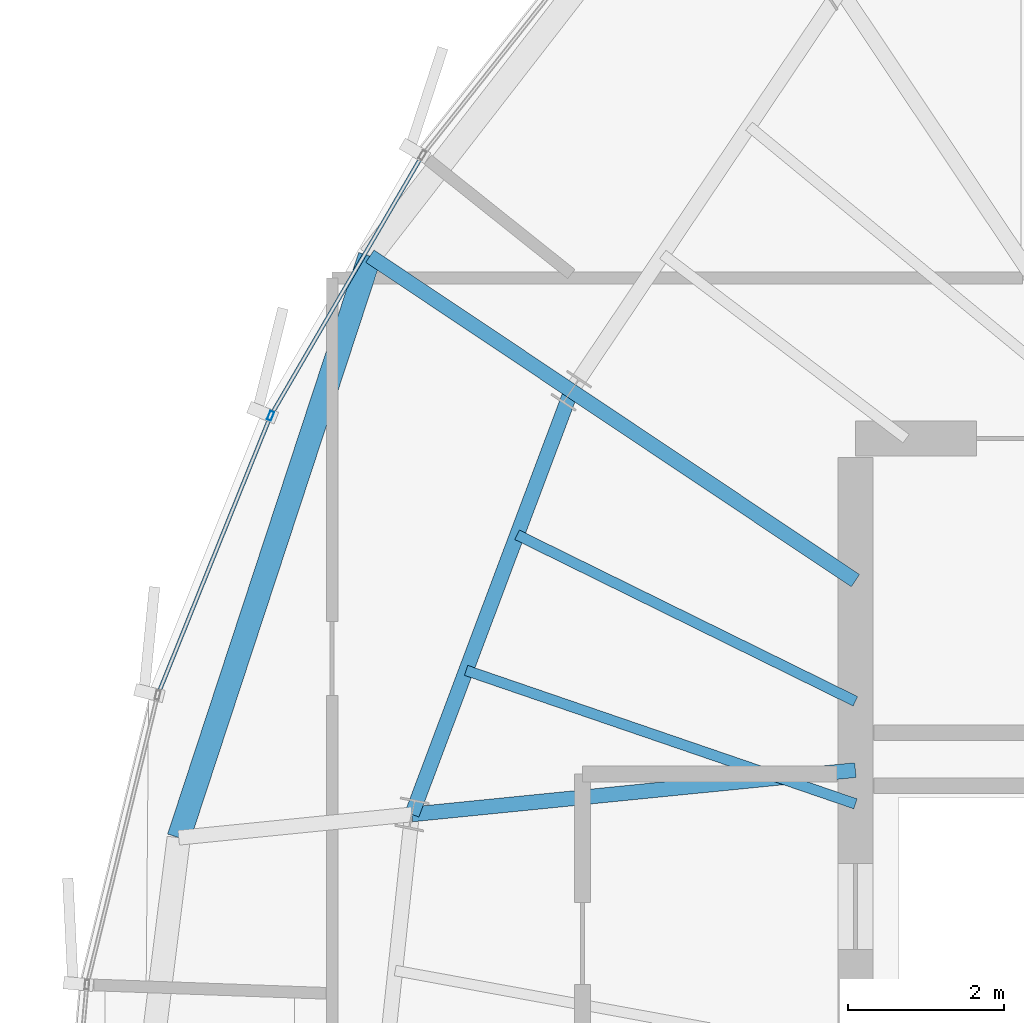
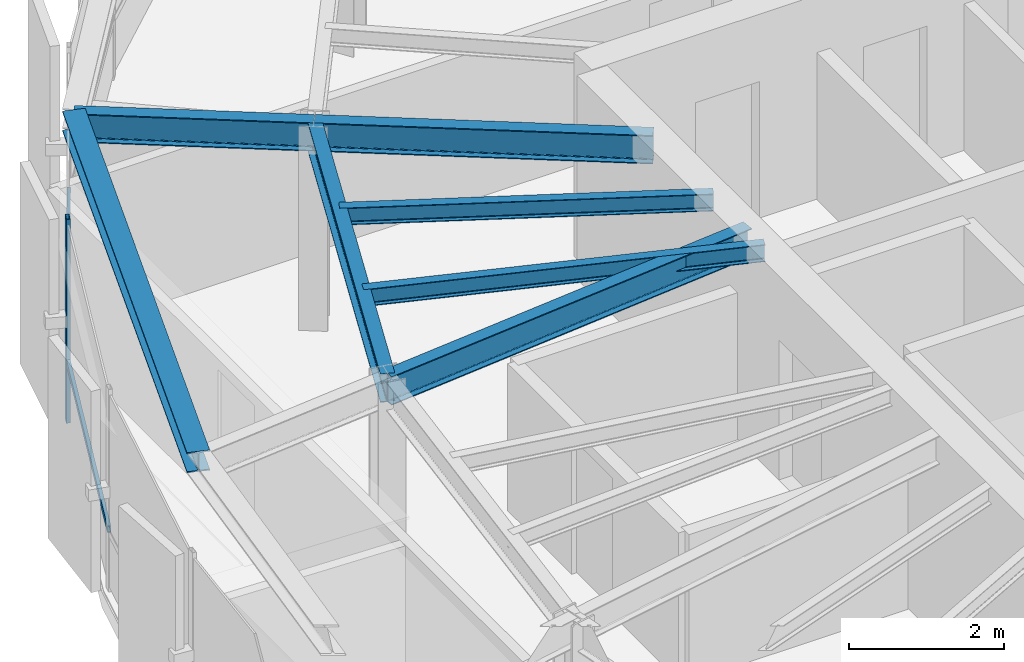
# One storey, part 12 of 31: 7 beams, 3 members, 1 element without a shape of its own.
"""IFC4 building model written with IfcOpenShell, lengths in metres."""

from ifc_helpers import new_model, si_unit, direction, frame, origin, origin_2d, place, context, subcontext, project, spatial, hollow_rectangle, i_section, extrude, source, transform, mapped, material, layer, layer_set, material_profile, profile_set, type_object, element, aggregate, save


model = new_model("IFC4")

# Units and contexts
model_context = context("Model", 3, precision=1e-05, world=origin(), true_north=direction((0.0, 1.0)))
body_context = subcontext(model_context, "Body", "Model", "MODEL_VIEW")
ifc_project = project(units=[si_unit("LENGTHUNIT", "METRE"), si_unit("AREAUNIT", "SQUARE_METRE"), si_unit("VOLUMEUNIT", "CUBIC_METRE"), si_unit("PLANEANGLEUNIT", "RADIAN"), si_unit("MASSUNIT", "GRAM", prefix="KILO"), si_unit("THERMODYNAMICTEMPERATUREUNIT", "KELVIN")], contexts=[model_context])

# Site, building, storey
site_placement = place(None, origin())
site = spatial("IfcSite", under=ifc_project, at=site_placement, CompositionType="ELEMENT")
building_placement = place(site_placement, origin())
building = spatial("IfcBuilding", under=site, at=building_placement, Name="Kethvar Cultural Tower", CompositionType="ELEMENT")
storey_placement = place(building_placement, frame((0.0, 0.0, 290.5)))
storey = spatial("IfcBuildingStorey", under=building, at=storey_placement, Name="L77", CompositionType="ELEMENT", Elevation=290.5)

# Beams
ifc_material_1 = material(Name="Steel S355J2", Category="steel")
ifc_material_profile_1 = material_profile(ifc_material_1, i_section(OverallWidth=0.18994140625, OverallDepth=0.449951171875, WebThickness=0.009521484375, FlangeThickness=0.0146484375, FilletRadius=0.02099609375, at=origin_2d()), Name="Steel S355J2 — IPE450")
ifc_profile_set_1 = profile_set([ifc_material_profile_1], Name="Steel S355J2 — IPE450")
beam_type_1 = type_object("IfcBeamType", Name="BM-IPE450", PredefinedType="BEAM", material=ifc_profile_set_1)
shared_shape_1 = source(origin(), body_context, "Body", "SweptSolid", [
    extrude(i_section(OverallWidth=0.18994140625, OverallDepth=0.449951171875, WebThickness=0.009521484375, FlangeThickness=0.0146484375, FilletRadius=0.02099609375, at=origin_2d()), origin(), (0.0, 0.0, 1.0), 4.3828125),
])
beam_1_placement = place(storey_placement, frame((38.0, 33.679931640625, 2.98291015625), z_axis=(-0.831449909861, 0.555599718676, 0.0), x_axis=(-0.555599718676, -0.831449909861, 0.0)))
element("IfcBeam", 1, at=beam_1_placement, inside=storey, type_object=beam_type_1, Name="L77 Primary Radial Beam RB-07", PredefinedType="BEAM", context=body_context, shape_type="MappedRepresentation", body=[
    mapped(shared_shape_1, transform((0.0, 0.0, 0.0), scale=1.0)),
])
shared_shape_2 = source(origin(), body_context, "Body", "SweptSolid", [
    extrude(i_section(OverallWidth=0.18994140625, OverallDepth=0.449951171875, WebThickness=0.009521484375, FlangeThickness=0.0146484375, FilletRadius=0.02099609375, at=origin_2d()), origin(), (0.0, 0.0, 1.0), 5.7158203125),
])
beam_2_placement = place(storey_placement, frame((38.0, 31.25, 2.98291015625), z_axis=(-0.995048179628, -0.099393763478, 0.0), x_axis=(0.099393763478, -0.995048179628, 0.0)))
element("IfcBeam", 2, at=beam_2_placement, inside=storey, type_object=beam_type_1, Name="L77 Primary Radial Beam RB-08", PredefinedType="BEAM", context=body_context, shape_type="MappedRepresentation", body=[
    mapped(shared_shape_2, transform((0.0, 0.0, 0.0), scale=1.0)),
])
shared_shape_3 = source(origin(), body_context, "Body", "SweptSolid", [
    extrude(i_section(OverallWidth=0.18994140625, OverallDepth=0.449951171875, WebThickness=0.009521484375, FlangeThickness=0.0146484375, FilletRadius=0.02099609375, at=origin_2d()), origin(), (0.0, 0.0, 1.0), 5.8046875),
])
beam_3_placement = place(storey_placement, frame((34.35595703125, 36.114990234375, 2.98291015625), z_axis=(-0.352035902861, -0.935986497283, 0.0), x_axis=(0.935986497283, -0.352035902861, 0.0)))
element("IfcBeam", 3, at=beam_3_placement, inside=storey, type_object=beam_type_1, Name="L77 Column Ring Tie Beam CR-07", PredefinedType="BEAM", context=body_context, shape_type="MappedRepresentation", body=[
    mapped(shared_shape_3, transform((0.0, 0.0, 0.0), scale=1.0)),
])
ifc_material_profile_2 = material_profile(ifc_material_1, i_section(OverallWidth=0.135009765625, OverallDepth=0.27001953125, WebThickness=0.006591796875, FlangeThickness=0.01025390625, FilletRadius=0.014892578125, at=origin_2d()), Name="Steel S355J2 — IPE270")
ifc_profile_set_2 = profile_set([ifc_material_profile_2], Name="Steel S355J2 — IPE270")
beam_type_2 = type_object("IfcBeamType", Name="BM-J270", PredefinedType="JOIST", material=ifc_profile_set_2)
shared_shape_4 = source(origin(), body_context, "Body", "SweptSolid", [
    extrude(i_section(OverallWidth=0.135009765625, OverallDepth=0.27001953125, WebThickness=0.006591796875, FlangeThickness=0.01025390625, FilletRadius=0.014892578125, at=origin_2d()), origin(), (0.0, 0.0, 1.0), 4.8359375),
])
beam_4_placement = place(storey_placement, frame((38.0, 32.1318359375, 3.072998046875), z_axis=(-0.897196527088, 0.441631511308, 0.0), x_axis=(-0.441631511308, -0.897196527088, 0.0)))
element("IfcBeam", 4, at=beam_4_placement, inside=storey, type_object=beam_type_2, Name="L77 Composite Floor Joist J-07A", PredefinedType="JOIST", context=body_context, shape_type="MappedRepresentation", body=[
    mapped(shared_shape_4, transform((0.0, 0.0, 0.0), scale=1.0)),
])
shared_shape_5 = source(origin(), body_context, "Body", "SweptSolid", [
    extrude(i_section(OverallWidth=0.135009765625, OverallDepth=0.27001953125, WebThickness=0.006591796875, FlangeThickness=0.01025390625, FilletRadius=0.014892578125, at=origin_2d()), origin(), (0.0, 0.0, 1.0), 5.2783203125),
])
beam_5_placement = place(storey_placement, frame((38.0, 30.817138671875, 3.072998046875), z_axis=(-0.945942702368, 0.324333784607, 0.0), x_axis=(-0.324333784607, -0.945942702368, 0.0)))
element("IfcBeam", 5, at=beam_5_placement, inside=storey, type_object=beam_type_2, Name="L77 Composite Floor Joist J-07B", PredefinedType="JOIST", context=body_context, shape_type="MappedRepresentation", body=[
    mapped(shared_shape_5, transform((0.0, 0.0, 0.0), scale=1.0)),
])
shared_shape_6 = source(origin(), body_context, "Body", "SweptSolid", [
    extrude(i_section(OverallWidth=0.18994140625, OverallDepth=0.449951171875, WebThickness=0.009521484375, FlangeThickness=0.0146484375, FilletRadius=0.02099609375, at=origin_2d()), origin(), (0.0, 0.0, 1.0), 3.1064453125),
])
beam_6_placement = place(storey_placement, frame((34.35595703125, 36.114990234375, 2.98291015625), z_axis=(-0.831481591977, 0.555552303751, 0.0), x_axis=(-0.555552303751, -0.831481591977, 0.0)))
element("IfcBeam", 6, at=beam_6_placement, inside=storey, type_object=beam_type_1, Name="L77 Perimeter Cantilever Beam RC-07", PredefinedType="BEAM", context=body_context, shape_type="MappedRepresentation", body=[
    mapped(shared_shape_6, transform((0.0, 0.0, 0.0), scale=1.0)),
])
ifc_material_profile_3 = material_profile(ifc_material_1, i_section(OverallWidth=0.300048828125, OverallDepth=0.320068359375, WebThickness=0.011474609375, FlangeThickness=0.0205078125, FilletRadius=0.027099609375, at=origin_2d()), Name="Steel S355J2 — HEB320")
ifc_profile_set_3 = profile_set([ifc_material_profile_3], Name="Steel S355J2 — HEB320")
beam_type_3 = type_object("IfcBeamType", Name="BM-SP320", PredefinedType="SPANDREL", material=ifc_profile_set_3)
shared_shape_7 = source(origin(), body_context, "Body", "SweptSolid", [
    extrude(i_section(OverallWidth=0.300048828125, OverallDepth=0.320068359375, WebThickness=0.011474609375, FlangeThickness=0.0205078125, FilletRadius=0.027099609375, at=origin_2d()), origin(), (0.0, 0.0, 1.0), 7.85009765625),
])
beam_7_placement = place(storey_placement, frame((31.77294921875, 37.8408203125, 3.048095703125), z_axis=(-0.312213036583, -0.9500121156, 0.0), x_axis=(0.9500121156, -0.312213036583, 0.0)))
element("IfcBeam", 7, at=beam_7_placement, inside=storey, type_object=beam_type_3, Name="L77 Perimeter Spandrel Beam SP-07", PredefinedType="SPANDREL", context=body_context, shape_type="MappedRepresentation", body=[
    mapped(shared_shape_7, transform((0.0, 0.0, 0.0), scale=1.0)),
])

# Curtain wall, members
ifc_material_2 = material(Name="Aluminium 6063-T6", Category="aluminium")
ifc_layer = layer(ifc_material_2, 0.179931640625, Name="Aluminium 6063-T6", Category="aluminium")
ifc_layer_set = layer_set([ifc_layer], Name="Aluminium 6063-T6 (180 mm)")
curtain_wall_type = type_object("IfcCurtainWallType", Name="CW-SYS-05-Z56", PredefinedType="NOTDEFINED", material=ifc_layer_set)
curtain_wall_placement = place(storey_placement, origin())
curtain_wall = element("IfcCurtainWall", 8, at=curtain_wall_placement, inside=storey, type_object=curtain_wall_type, Name="L77 Curtain Wall Run 02", PredefinedType="NOTDEFINED")
ifc_material_profile_4 = material_profile(ifc_material_2, hollow_rectangle(XDim=0.054931640625, YDim=0.1201171875, WallThickness=0.00390625, at=origin_2d()), Name="Aluminium 6063-T6 — RHS120x55x4")
ifc_profile_set_4 = profile_set([ifc_material_profile_4], Name="Aluminium 6063-T6 — RHS120x55x4")
member_type_1 = type_object("IfcMemberType", Name="CW-SYS-05-Z56-MUL", PredefinedType="MULLION", material=ifc_profile_set_4)
shared_shape_8 = source(origin(), body_context, "Body", "SweptSolid", [
    extrude(hollow_rectangle(XDim=0.054931640625, YDim=0.1201171875, WallThickness=0.00390625, at=origin_2d()), origin(), (0.0, 0.0, 1.0), 3.2099609375),
])
member_1_placement = place(storey_placement, frame((30.499755859375, 35.793212890625, 0.0), z_axis=(0.0, 0.0, 1.0), x_axis=(0.927196930239, -0.374574228366, 0.0)))
member_1 = element("IfcMember", 9, at=member_1_placement, type_object=member_type_1, Name="CW-L77-R02 Mullion 4", PredefinedType="MULLION", context=body_context, shape_type="MappedRepresentation", body=[
    mapped(shared_shape_8, transform((0.0, 0.0, 0.0), scale=1.0)),
])
ifc_material_profile_5 = material_profile(ifc_material_2, hollow_rectangle(XDim=0.050048828125, YDim=0.10009765625, WallThickness=0.00390625, at=origin_2d()), Name="Aluminium 6063-T6 — RHS100x50x4")
ifc_profile_set_5 = profile_set([ifc_material_profile_5], Name="Aluminium 6063-T6 — RHS100x50x4")
member_type_2 = type_object("IfcMemberType", Name="CW-SYS-05-Z56-TRN", PredefinedType="USERDEFINED", material=ifc_profile_set_5)
shared_shape_9 = source(origin(), body_context, "Body", "SweptSolid", [
    extrude(hollow_rectangle(XDim=0.050048828125, YDim=0.10009765625, WallThickness=0.00390625, at=origin_2d()), origin(), (0.0, 0.0, 1.0), 3.802734375),
])
member_2_placement = place(storey_placement, frame((32.426025390625, 39.101318359375, 0.949951171875), z_axis=(-0.502968578032, -0.864304697148, 0.0), x_axis=(0.864304697148, -0.502968578032, 0.0)))
member_2 = element("IfcMember", 10, at=member_2_placement, type_object=member_type_2, Name="CW-L77-R02 Transom 3", ObjectType="TRANSOM", PredefinedType="USERDEFINED", context=body_context, shape_type="MappedRepresentation", body=[
    mapped(shared_shape_9, transform((0.0, 0.0, 0.0), scale=1.0)),
])
shared_shape_10 = source(origin(), body_context, "Body", "SweptSolid", [
    extrude(hollow_rectangle(XDim=0.050048828125, YDim=0.10009765625, WallThickness=0.00390625, at=origin_2d()), origin(), (0.0, 0.0, 1.0), 3.797607421875),
])
member_3_placement = place(storey_placement, frame((30.485107421875, 35.756591796875, 0.949951171875), z_axis=(-0.374613986608, -0.927180867489, 0.0), x_axis=(0.927180867489, -0.374613986608, 0.0)))
member_3 = element("IfcMember", 11, at=member_3_placement, type_object=member_type_2, Name="CW-L77-R02 Transom 4", ObjectType="TRANSOM", PredefinedType="USERDEFINED", context=body_context, shape_type="MappedRepresentation", body=[
    mapped(shared_shape_10, transform((0.0, 0.0, 0.0), scale=1.0)),
])
aggregate(curtain_wall, [member_1, member_2, member_3])

save(model, "model.ifc")
